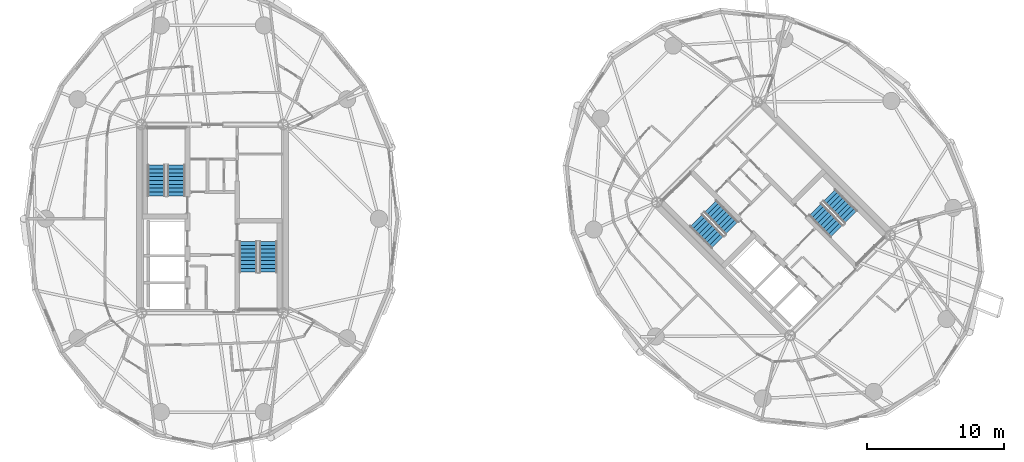
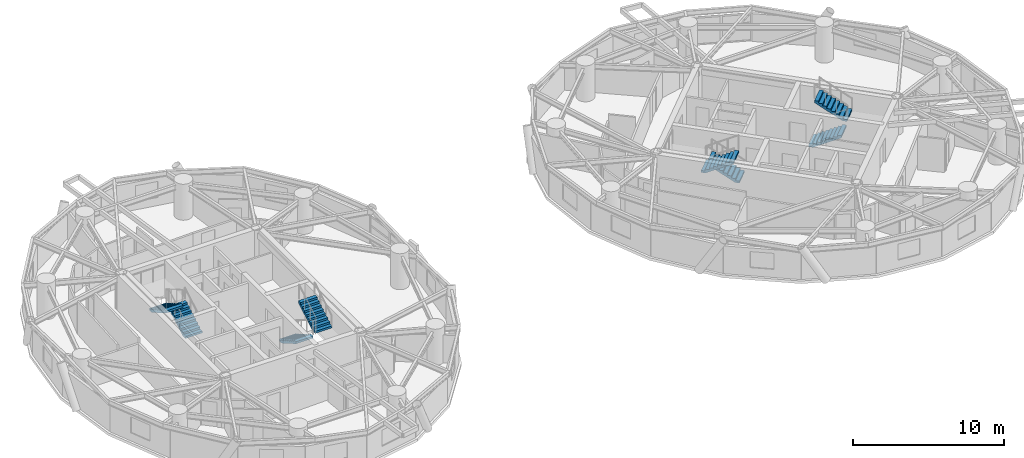
# One storey, part 15 of 17: 8 stair flights, 4 elements without a shape of their own.
"""IFC4 building model written with IfcOpenShell, lengths in metres."""

from ifc_helpers import new_model, si_unit, direction, frame, origin, place, context, subcontext, project, spatial, polyline, outline, extrude, material, type_object, element, aggregate, save


model = new_model("IFC4")

# Units and contexts
model_context = context("Model", 3, precision=1e-05, world=origin(), true_north=direction((0.0, 1.0)))
body_context = subcontext(model_context, "Body", "Model", "MODEL_VIEW")
ifc_project = project(units=[si_unit("LENGTHUNIT", "METRE"), si_unit("AREAUNIT", "SQUARE_METRE"), si_unit("VOLUMEUNIT", "CUBIC_METRE"), si_unit("PLANEANGLEUNIT", "RADIAN"), si_unit("MASSUNIT", "GRAM", prefix="KILO")], contexts=[model_context])

# Site, building, storey
site_placement = place(None, origin())
site = spatial("IfcSite", under=ifc_project, at=site_placement, CompositionType="ELEMENT")
building_placement = place(site_placement, origin())
building = spatial("IfcBuilding", under=site, at=building_placement, Name="Cununo Teusaquillo Station Towers", CompositionType="ELEMENT")
storey_placement = place(building_placement, frame((0.0, 0.0, 183.610107421875)))
storey = spatial("IfcBuildingStorey", under=building, at=storey_placement, Name="L58", CompositionType="ELEMENT", Elevation=183.610107421875)

# Stair, stair flights
ifc_material_1 = material(Name="Concrete C50/60", Category="concrete")
stair_type = type_object("IfcStairType", Name="ST-TWR-1300", PredefinedType="HALF_TURN_STAIR", material=ifc_material_1)
stair_1_placement = place(storey_placement, origin())
stair_1 = element("IfcStair", 1, at=stair_1_placement, inside=storey, type_object=stair_type, Name="L58 Tower A Protected Core Exit Stair 1", PredefinedType="HALF_TURN_STAIR")
ifc_material_2 = material(Name="Concrete C50/60", Category="concrete")
stair_flight_type = type_object("IfcStairFlightType", Name="SFL-TWR-1300", PredefinedType="STRAIGHT", material=ifc_material_2)
stair_flight_1_placement = place(storey_placement, frame((13.8701171875, 26.169921875, 0.0), z_axis=(0.0, 0.0, 1.0), x_axis=(0.0, 1.0, 0.0)))
stair_flight_1 = element("IfcStairFlight", 2, at=stair_flight_1_placement, type_object=stair_flight_type, Name="ST-T1-1 flight 1", NumberOfRisers=9, NumberOfTreads=8, PredefinedType="STRAIGHT", RiserHeight=0.161666667, TreadLength=0.28, context=body_context, shape_type="SweptSolid", body=[
    extrude(outline(polyline([(0.0, 0.0), (0.0, 0.16162109375), (0.280029296875, 0.16162109375), (0.280029296875, 0.3232421875), (0.56005859375, 0.3232421875), (0.56005859375, 0.485107421875), (0.840087890625, 0.485107421875), (0.840087890625, 0.646728515625), (1.1201171875, 0.646728515625), (1.1201171875, 0.808349609375), (1.39990234375, 0.808349609375), (1.39990234375, 0.969970703125), (1.679931640625, 0.969970703125), (1.679931640625, 1.131591796875), (1.9599609375, 1.131591796875), (1.9599609375, 1.293212890625), (2.239990234375, 1.293212890625), (2.239990234375, 1.455078125), (2.239990234375, 1.1201171875), (0.2998046875, 0.0), (0.0, 0.0)])), frame((0.0, 0.64990234375, 0.0), z_axis=(0.0, -1.0, 0.0), x_axis=(1.0, 0.0, 0.0)), (0.0, 0.0, 1.0), 1.300048828125),
])
stair_flight_2_placement = place(storey_placement, frame((12.409912109375, 28.409912109375, 1.454833984375), z_axis=(0.0, 0.0, 1.0), x_axis=(0.0, -1.0, 0.0)))
stair_flight_2 = element("IfcStairFlight", 3, at=stair_flight_2_placement, type_object=stair_flight_type, Name="ST-T1-1 flight 2", NumberOfRisers=9, NumberOfTreads=8, PredefinedType="STRAIGHT", RiserHeight=0.161666667, TreadLength=0.28, context=body_context, shape_type="SweptSolid", body=[
    extrude(outline(polyline([(0.0, 0.0), (0.0, 0.16162109375), (0.280029296875, 0.16162109375), (0.280029296875, 0.3232421875), (0.56005859375, 0.3232421875), (0.56005859375, 0.485107421875), (0.840087890625, 0.485107421875), (0.840087890625, 0.646728515625), (1.1201171875, 0.646728515625), (1.1201171875, 0.808349609375), (1.39990234375, 0.808349609375), (1.39990234375, 0.969970703125), (1.679931640625, 0.969970703125), (1.679931640625, 1.131591796875), (1.9599609375, 1.131591796875), (1.9599609375, 1.293212890625), (2.239990234375, 1.293212890625), (2.239990234375, 1.455078125), (2.239990234375, 1.1201171875), (0.2998046875, 0.0), (0.0, 0.0)])), frame((0.0, 0.64990234375, 0.0), z_axis=(0.0, -1.0, 0.0), x_axis=(1.0, 0.0, 0.0)), (0.0, 0.0, 1.0), 1.300048828125),
])
aggregate(stair_1, [stair_flight_1, stair_flight_2])

stair_2_placement = place(storey_placement, origin())
stair_2 = element("IfcStair", 4, at=stair_2_placement, inside=storey, type_object=stair_type, Name="L58 Tower A Protected Core Exit Stair 2", PredefinedType="HALF_TURN_STAIR")
stair_flight_3_placement = place(storey_placement, frame((19.1298828125, 22.830078125, 0.0), z_axis=(0.0, 0.0, 1.0), x_axis=(0.0, -1.0, 0.0)))
stair_flight_3 = element("IfcStairFlight", 5, at=stair_flight_3_placement, type_object=stair_flight_type, Name="ST-T1-2 flight 1", NumberOfRisers=9, NumberOfTreads=8, PredefinedType="STRAIGHT", RiserHeight=0.161666667, TreadLength=0.28, context=body_context, shape_type="SweptSolid", body=[
    extrude(outline(polyline([(0.0, 0.0), (0.0, 0.16162109375), (0.280029296875, 0.16162109375), (0.280029296875, 0.3232421875), (0.56005859375, 0.3232421875), (0.56005859375, 0.485107421875), (0.840087890625, 0.485107421875), (0.840087890625, 0.646728515625), (1.1201171875, 0.646728515625), (1.1201171875, 0.808349609375), (1.39990234375, 0.808349609375), (1.39990234375, 0.969970703125), (1.679931640625, 0.969970703125), (1.679931640625, 1.131591796875), (1.9599609375, 1.131591796875), (1.9599609375, 1.293212890625), (2.239990234375, 1.293212890625), (2.239990234375, 1.455078125), (2.239990234375, 1.1201171875), (0.2998046875, 0.0), (0.0, 0.0)])), frame((0.0, 0.64990234375, 0.0), z_axis=(0.0, -1.0, 0.0), x_axis=(1.0, 0.0, 0.0)), (0.0, 0.0, 1.0), 1.300048828125),
])
stair_flight_4_placement = place(storey_placement, frame((20.590087890625, 20.590087890625, 1.454833984375), z_axis=(0.0, 0.0, 1.0), x_axis=(0.0, 1.0, 0.0)))
stair_flight_4 = element("IfcStairFlight", 6, at=stair_flight_4_placement, type_object=stair_flight_type, Name="ST-T1-2 flight 2", NumberOfRisers=9, NumberOfTreads=8, PredefinedType="STRAIGHT", RiserHeight=0.161666667, TreadLength=0.28, context=body_context, shape_type="SweptSolid", body=[
    extrude(outline(polyline([(0.0, 0.0), (0.0, 0.16162109375), (0.280029296875, 0.16162109375), (0.280029296875, 0.3232421875), (0.56005859375, 0.3232421875), (0.56005859375, 0.485107421875), (0.840087890625, 0.485107421875), (0.840087890625, 0.646728515625), (1.1201171875, 0.646728515625), (1.1201171875, 0.808349609375), (1.39990234375, 0.808349609375), (1.39990234375, 0.969970703125), (1.679931640625, 0.969970703125), (1.679931640625, 1.131591796875), (1.9599609375, 1.131591796875), (1.9599609375, 1.293212890625), (2.239990234375, 1.293212890625), (2.239990234375, 1.455078125), (2.239990234375, 1.1201171875), (0.2998046875, 0.0), (0.0, 0.0)])), frame((0.0, 0.64990234375, 0.0), z_axis=(0.0, -1.0, 0.0), x_axis=(1.0, 0.0, 0.0)), (0.0, 0.0, 1.0), 1.300048828125),
])
aggregate(stair_2, [stair_flight_3, stair_flight_4])

stair_3_placement = place(storey_placement, origin())
stair_3 = element("IfcStair", 7, at=stair_3_placement, inside=storey, type_object=stair_type, Name="L58 Tower B Protected Core Exit Stair 1", PredefinedType="HALF_TURN_STAIR")
stair_flight_5_placement = place(storey_placement, frame((54.45947265625, 23.8212890625, 0.0), z_axis=(0.0, 0.0, 1.0), x_axis=(-0.707106781187, 0.707106781187, 0.0)))
stair_flight_5 = element("IfcStairFlight", 8, at=stair_flight_5_placement, type_object=stair_flight_type, Name="ST-T2-1 flight 1", NumberOfRisers=9, NumberOfTreads=8, PredefinedType="STRAIGHT", RiserHeight=0.161666667, TreadLength=0.28, context=body_context, shape_type="SweptSolid", body=[
    extrude(outline(polyline([(0.0, 0.0), (0.0, 0.16162109375), (0.280029296875, 0.16162109375), (0.280029296875, 0.3232421875), (0.56005859375, 0.3232421875), (0.56005859375, 0.485107421875), (0.840087890625, 0.485107421875), (0.840087890625, 0.646728515625), (1.1201171875, 0.646728515625), (1.1201171875, 0.808349609375), (1.39990234375, 0.808349609375), (1.39990234375, 0.969970703125), (1.679931640625, 0.969970703125), (1.679931640625, 1.131591796875), (1.9599609375, 1.131591796875), (1.9599609375, 1.293212890625), (2.239990234375, 1.293212890625), (2.239990234375, 1.455078125), (2.239990234375, 1.1201171875), (0.2998046875, 0.0), (0.0, 0.0)])), frame((0.0, 0.64990234375, 0.0), z_axis=(0.0, -1.0, 0.0), x_axis=(1.0, 0.0, 0.0)), (0.0, 0.0, 1.0), 1.300048828125),
])
stair_flight_6_placement = place(storey_placement, frame((51.84326171875, 24.372802734375, 1.454833984375), z_axis=(0.0, 0.0, 1.0), x_axis=(0.707106781187, -0.707106781187, 0.0)))
stair_flight_6 = element("IfcStairFlight", 9, at=stair_flight_6_placement, type_object=stair_flight_type, Name="ST-T2-1 flight 2", NumberOfRisers=9, NumberOfTreads=8, PredefinedType="STRAIGHT", RiserHeight=0.161666667, TreadLength=0.28, context=body_context, shape_type="SweptSolid", body=[
    extrude(outline(polyline([(0.0, 0.0), (0.0, 0.16162109375), (0.280029296875, 0.16162109375), (0.280029296875, 0.3232421875), (0.56005859375, 0.3232421875), (0.56005859375, 0.485107421875), (0.840087890625, 0.485107421875), (0.840087890625, 0.646728515625), (1.1201171875, 0.646728515625), (1.1201171875, 0.808349609375), (1.39990234375, 0.808349609375), (1.39990234375, 0.969970703125), (1.679931640625, 0.969970703125), (1.679931640625, 1.131591796875), (1.9599609375, 1.131591796875), (1.9599609375, 1.293212890625), (2.239990234375, 1.293212890625), (2.239990234375, 1.455078125), (2.239990234375, 1.1201171875), (0.2998046875, 0.0), (0.0, 0.0)])), frame((0.0, 0.64990234375, 0.0), z_axis=(0.0, -1.0, 0.0), x_axis=(1.0, 0.0, 0.0)), (0.0, 0.0, 1.0), 1.300048828125),
])
aggregate(stair_3, [stair_flight_5, stair_flight_6])

stair_4_placement = place(storey_placement, origin())
stair_4 = element("IfcStair", 10, at=stair_4_placement, inside=storey, type_object=stair_type, Name="L58 Tower B Protected Core Exit Stair 2", PredefinedType="HALF_TURN_STAIR")
stair_flight_7_placement = place(storey_placement, frame((60.54052734375, 25.1787109375, 0.0), z_axis=(0.0, 0.0, 1.0), x_axis=(0.707106781187, -0.707106781187, 0.0)))
stair_flight_7 = element("IfcStairFlight", 11, at=stair_flight_7_placement, type_object=stair_flight_type, Name="ST-T2-2 flight 1", NumberOfRisers=9, NumberOfTreads=8, PredefinedType="STRAIGHT", RiserHeight=0.161666667, TreadLength=0.28, context=body_context, shape_type="SweptSolid", body=[
    extrude(outline(polyline([(0.0, 0.0), (0.0, 0.16162109375), (0.280029296875, 0.16162109375), (0.280029296875, 0.3232421875), (0.56005859375, 0.3232421875), (0.56005859375, 0.485107421875), (0.840087890625, 0.485107421875), (0.840087890625, 0.646728515625), (1.1201171875, 0.646728515625), (1.1201171875, 0.808349609375), (1.39990234375, 0.808349609375), (1.39990234375, 0.969970703125), (1.679931640625, 0.969970703125), (1.679931640625, 1.131591796875), (1.9599609375, 1.131591796875), (1.9599609375, 1.293212890625), (2.239990234375, 1.293212890625), (2.239990234375, 1.455078125), (2.239990234375, 1.1201171875), (0.2998046875, 0.0), (0.0, 0.0)])), frame((0.0, 0.64990234375, 0.0), z_axis=(0.0, -1.0, 0.0), x_axis=(1.0, 0.0, 0.0)), (0.0, 0.0, 1.0), 1.300048828125),
])
stair_flight_8_placement = place(storey_placement, frame((63.15673828125, 24.627197265625, 1.454833984375), z_axis=(0.0, 0.0, 1.0), x_axis=(-0.707106781187, 0.707106781187, 0.0)))
stair_flight_8 = element("IfcStairFlight", 12, at=stair_flight_8_placement, type_object=stair_flight_type, Name="ST-T2-2 flight 2", NumberOfRisers=9, NumberOfTreads=8, PredefinedType="STRAIGHT", RiserHeight=0.161666667, TreadLength=0.28, context=body_context, shape_type="SweptSolid", body=[
    extrude(outline(polyline([(0.0, 0.0), (0.0, 0.16162109375), (0.280029296875, 0.16162109375), (0.280029296875, 0.3232421875), (0.56005859375, 0.3232421875), (0.56005859375, 0.485107421875), (0.840087890625, 0.485107421875), (0.840087890625, 0.646728515625), (1.1201171875, 0.646728515625), (1.1201171875, 0.808349609375), (1.39990234375, 0.808349609375), (1.39990234375, 0.969970703125), (1.679931640625, 0.969970703125), (1.679931640625, 1.131591796875), (1.9599609375, 1.131591796875), (1.9599609375, 1.293212890625), (2.239990234375, 1.293212890625), (2.239990234375, 1.455078125), (2.239990234375, 1.1201171875), (0.2998046875, 0.0), (0.0, 0.0)])), frame((0.0, 0.64990234375, 0.0), z_axis=(0.0, -1.0, 0.0), x_axis=(1.0, 0.0, 0.0)), (0.0, 0.0, 1.0), 1.300048828125),
])
aggregate(stair_4, [stair_flight_7, stair_flight_8])

save(model, "model.ifc")
